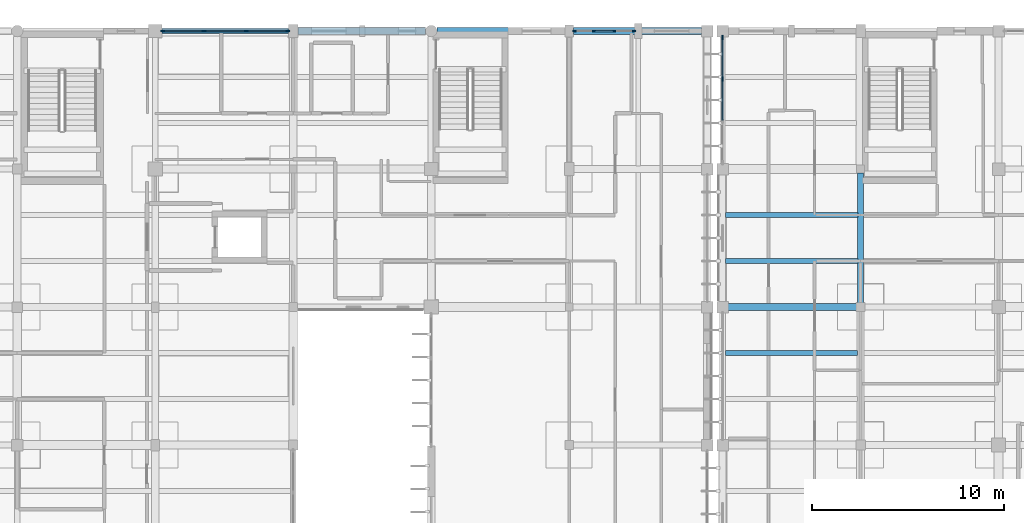
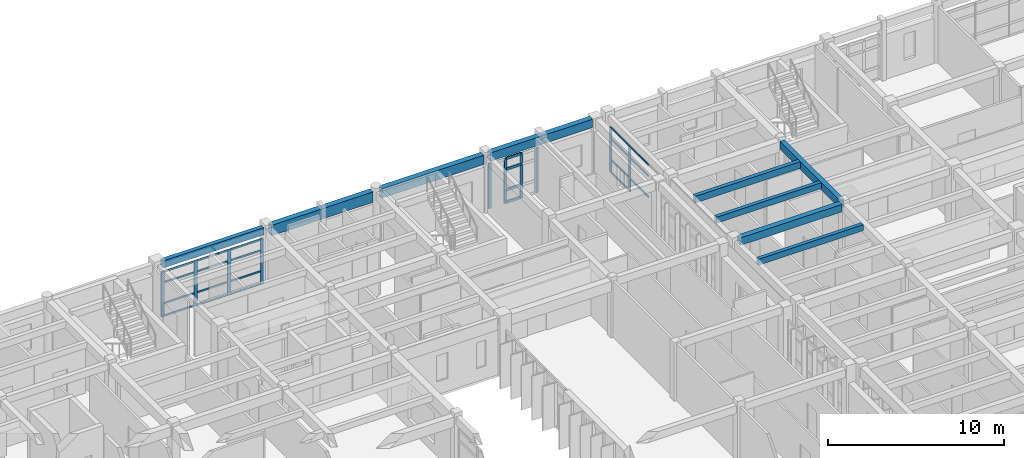
# One storey, part 18 of 55: 33 members, 9 beams, 3 elements without a shape of their own.
"""IFC4 building model written with IfcOpenShell, lengths in metres."""

from ifc_helpers import new_model, si_unit, direction, frame, origin, origin_2d, place, context, subcontext, project, spatial, rectangle, extrude, material, material_profile, profile_set, type_object, element, aggregate, save


model = new_model("IFC4")

# Units and contexts
model_context = context("Model", 3, precision=1e-05, world=origin(), true_north=direction((0.0, 1.0)))
body_context = subcontext(model_context, "Body", "Model", "MODEL_VIEW")
ifc_project = project(units=[si_unit("LENGTHUNIT", "METRE"), si_unit("AREAUNIT", "SQUARE_METRE"), si_unit("VOLUMEUNIT", "CUBIC_METRE"), si_unit("PLANEANGLEUNIT", "RADIAN"), si_unit("MASSUNIT", "GRAM", prefix="KILO")], contexts=[model_context])

# Site, building, storey
site_placement = place(None, origin())
site = spatial("IfcSite", under=ifc_project, at=site_placement, CompositionType="ELEMENT")
building_placement = place(site_placement, origin())
building = spatial("IfcBuilding", under=site, at=building_placement, Name="Steenspoor Specialist Clinic", CompositionType="ELEMENT")
storey_placement = place(building_placement, frame((0.0, 0.0, 13.199951171875)))
storey = spatial("IfcBuildingStorey", under=building, at=storey_placement, Name="L03", CompositionType="ELEMENT", Elevation=13.199951171875)

# Beams
ifc_material_1 = material(Name="Concrete C35/45", Category="concrete")
ifc_material_profile_1 = material_profile(ifc_material_1, rectangle(XDim=0.300048828125, YDim=0.550048828125, at=origin_2d()), Name="RC-BM-300X550")
ifc_profile_set_1 = profile_set([ifc_material_profile_1], Name="Concrete C35/45")
beam_type_1 = type_object("IfcBeamType", Name="BM-RC-300X550", PredefinedType="BEAM", material=ifc_profile_set_1)
beam_1_placement = place(storey_placement, frame((125.199951171875, 94.169921875, 3.675048828125), z_axis=(0.0, 1.0, 0.0), x_axis=(-1.0, 0.0, 0.0)))
element("IfcBeam", 1, at=beam_1_placement, inside=storey, type_object=beam_type_1, Name="BM-V6-L03-Y1734", PredefinedType="BEAM", context=body_context, shape_type="SweptSolid", body=[
    extrude(rectangle(XDim=0.300048828125, YDim=0.550048828125, at=origin_2d()), origin(), (0.0, 0.0, 1.0), 6.78515625),
])
ifc_material_profile_2 = material_profile(ifc_material_1, rectangle(XDim=0.35009765625, YDim=0.52001953125, at=origin_2d()), Name="RC-BM-350X520")
ifc_profile_set_2 = profile_set([ifc_material_profile_2], Name="Concrete C35/45")
beam_type_2 = type_object("IfcBeamType", Name="BM-RC-350X520", PredefinedType="BEAM", material=ifc_profile_set_2)
beam_2_placement = place(storey_placement, frame((118.294921875, 93.949951171875, 3.68994140625), z_axis=(1.0, 0.0, 0.0), x_axis=(0.0, 1.0, 0.0)))
element("IfcBeam", 2, at=beam_2_placement, inside=storey, type_object=beam_type_2, Name="BM-V6-L03-X1717", PredefinedType="BEAM", context=body_context, shape_type="SweptSolid", body=[
    extrude(rectangle(XDim=0.35009765625, YDim=0.52001953125, at=origin_2d()), origin(), (0.0, 0.0, 1.0), 6.68505859375),
])
ifc_material_profile_3 = material_profile(ifc_material_1, rectangle(XDim=0.35009765625, YDim=0.580078125, at=origin_2d()), Name="RC-BM-350X580")
ifc_profile_set_3 = profile_set([ifc_material_profile_3], Name="Concrete C35/45")
beam_type_3 = type_object("IfcBeamType", Name="BM-RC-350X580", PredefinedType="BEAM", material=ifc_profile_set_3)
beam_3_placement = place(storey_placement, frame((110.219970703125, 108.35009765625, 3.66015625), z_axis=(1.0, 0.0, 0.0), x_axis=(0.0, 1.0, 0.0)))
element("IfcBeam", 3, at=beam_3_placement, inside=storey, type_object=beam_type_3, Name="BM-V4-L03-X0911", PredefinedType="BEAM", context=body_context, shape_type="SweptSolid", body=[
    extrude(rectangle(XDim=0.35009765625, YDim=0.580078125, at=origin_2d()), origin(), (0.0, 0.0, 1.0), 6.68505859375),
])

# Curtain wall, members
ifc_material_2 = material(Name="Thermally broken aluminium and low-emissivity glass", Category="aluminium")
curtain_wall_type_1 = type_object("IfcCurtainWallType", Name="CW-TYP-420X355", PredefinedType="USERDEFINED", material=ifc_material_2)
curtain_wall_1_placement = place(storey_placement, origin())
curtain_wall_1 = element("IfcCurtainWall", 4, at=curtain_wall_1_placement, inside=storey, type_object=curtain_wall_type_1, Name="Unitised Curtain Wall CW-V4-L03-109", ObjectType="UNITISED GLAZING", PredefinedType="USERDEFINED")
ifc_material_3 = material(Name="Thermally broken aluminium 6063-T6", Category="aluminium")
ifc_material_profile_4 = material_profile(ifc_material_3, rectangle(XDim=0.080078125, YDim=0.179931640625, at=origin_2d()), Name="CWM-80X180")
ifc_profile_set_4 = profile_set([ifc_material_profile_4], Name="Thermally broken aluminium 6063-T6")
member_type_1 = type_object("IfcMemberType", Name="CW-MULL-80X180", PredefinedType="MULLION", material=ifc_profile_set_4)
member_1_placement = place(storey_placement, frame((110.264892578125, 108.35009765625, 0.0), z_axis=(0.0, 0.0, 1.0), x_axis=(0.0, 1.0, 0.0)))
member_1 = element("IfcMember", 5, at=member_1_placement, type_object=member_type_1, Name="CW-13 mullion 1", PredefinedType="MULLION", context=body_context, shape_type="SweptSolid", body=[
    extrude(rectangle(XDim=0.080078125, YDim=0.179931640625, at=origin_2d()), origin(), (0.0, 0.0, 1.0), 3.130126953125),
])
member_2_placement = place(storey_placement, frame((111.28662109375, 108.35009765625, 0.0), z_axis=(0.0, 0.0, 1.0), x_axis=(0.0, 1.0, 0.0)))
member_2 = element("IfcMember", 6, at=member_2_placement, type_object=member_type_1, Name="CW-13 mullion 2", PredefinedType="MULLION", context=body_context, shape_type="SweptSolid", body=[
    extrude(rectangle(XDim=0.080078125, YDim=0.179931640625, at=origin_2d()), origin(), (0.0, 0.0, 1.0), 3.130126953125),
])
member_3_placement = place(storey_placement, frame((112.348388671875, 108.35009765625, 0.0), z_axis=(0.0, 0.0, 1.0), x_axis=(0.0, 1.0, 0.0)))
member_3 = element("IfcMember", 7, at=member_3_placement, type_object=member_type_1, Name="CW-13 mullion 3", PredefinedType="MULLION", context=body_context, shape_type="SweptSolid", body=[
    extrude(rectangle(XDim=0.080078125, YDim=0.179931640625, at=origin_2d()), origin(), (0.0, 0.0, 1.0), 3.130126953125),
])
member_4_placement = place(storey_placement, frame((113.3701171875, 108.35009765625, 0.0), z_axis=(0.0, 0.0, 1.0), x_axis=(0.0, 1.0, 0.0)))
member_4 = element("IfcMember", 8, at=member_4_placement, type_object=member_type_1, Name="CW-13 mullion 4", PredefinedType="MULLION", context=body_context, shape_type="SweptSolid", body=[
    extrude(rectangle(XDim=0.080078125, YDim=0.179931640625, at=origin_2d()), origin(), (0.0, 0.0, 1.0), 3.130126953125),
])

curtain_wall_type_2 = type_object("IfcCurtainWallType", Name="CW-TYP-480X355", PredefinedType="USERDEFINED", material=ifc_material_2)
curtain_wall_2_placement = place(storey_placement, origin())
curtain_wall_2 = element("IfcCurtainWall", 9, at=curtain_wall_2_placement, inside=storey, type_object=curtain_wall_type_2, Name="Unitised Curtain Wall CW-V4-L03-108", ObjectType="UNITISED GLAZING", PredefinedType="USERDEFINED")
ifc_material_profile_5 = material_profile(ifc_material_3, rectangle(XDim=0.080078125, YDim=0.219970703125, at=origin_2d()), Name="CWM-80X220")
ifc_profile_set_5 = profile_set([ifc_material_profile_5], Name="Thermally broken aluminium 6063-T6")
member_type_2 = type_object("IfcMemberType", Name="CW-MULL-80X220", PredefinedType="MULLION", material=ifc_profile_set_5)
member_5_placement = place(storey_placement, frame((88.7900390625, 108.35009765625, 0.0), z_axis=(0.0, 0.0, 1.0), x_axis=(0.0, 1.0, 0.0)))
member_5 = element("IfcMember", 10, at=member_5_placement, type_object=member_type_2, Name="CW-12 mullion 1", PredefinedType="MULLION", context=body_context, shape_type="SweptSolid", body=[
    extrude(rectangle(XDim=0.080078125, YDim=0.219970703125, at=origin_2d()), origin(), (0.0, 0.0, 1.0), 3.130126953125),
])
member_6_placement = place(storey_placement, frame((90.949951171875, 108.35009765625, 0.0), z_axis=(0.0, 0.0, 1.0), x_axis=(0.0, 1.0, 0.0)))
member_6 = element("IfcMember", 11, at=member_6_placement, type_object=member_type_2, Name="CW-12 mullion 2", PredefinedType="MULLION", context=body_context, shape_type="SweptSolid", body=[
    extrude(rectangle(XDim=0.080078125, YDim=0.219970703125, at=origin_2d()), origin(), (0.0, 0.0, 1.0), 3.130126953125),
])
member_7_placement = place(storey_placement, frame((93.14990234375, 108.35009765625, 0.0), z_axis=(0.0, 0.0, 1.0), x_axis=(0.0, 1.0, 0.0)))
member_7 = element("IfcMember", 12, at=member_7_placement, type_object=member_type_2, Name="CW-12 mullion 3", PredefinedType="MULLION", context=body_context, shape_type="SweptSolid", body=[
    extrude(rectangle(XDim=0.080078125, YDim=0.219970703125, at=origin_2d()), origin(), (0.0, 0.0, 1.0), 3.130126953125),
])
member_8_placement = place(storey_placement, frame((95.31005859375, 108.35009765625, 0.0), z_axis=(0.0, 0.0, 1.0), x_axis=(0.0, 1.0, 0.0)))
member_8 = element("IfcMember", 13, at=member_8_placement, type_object=member_type_2, Name="CW-12 mullion 4", PredefinedType="MULLION", context=body_context, shape_type="SweptSolid", body=[
    extrude(rectangle(XDim=0.080078125, YDim=0.219970703125, at=origin_2d()), origin(), (0.0, 0.0, 1.0), 3.130126953125),
])

curtain_wall_type_3 = type_object("IfcCurtainWallType", Name="CW-L00-480X415", PredefinedType="USERDEFINED", material=ifc_material_2)
curtain_wall_3_placement = place(storey_placement, origin())
curtain_wall_3 = element("IfcCurtainWall", 14, at=curtain_wall_3_placement, inside=storey, type_object=curtain_wall_type_3, Name="Unitised Curtain Wall CW-V6-L03-198", ObjectType="UNITISED GLAZING", PredefinedType="USERDEFINED")
member_9_placement = place(storey_placement, frame((118.0, 105.85009765625, 0.0), z_axis=(0.0, 0.0, 1.0), x_axis=(-1.0, 0.0, 0.0)))
member_9 = element("IfcMember", 15, at=member_9_placement, type_object=member_type_2, Name="CW-06 mullion 3", PredefinedType="MULLION", context=body_context, shape_type="SweptSolid", body=[
    extrude(rectangle(XDim=0.080078125, YDim=0.219970703125, at=origin_2d()), origin(), (0.0, 0.0, 1.0), 3.130126953125),
])
member_10_placement = place(storey_placement, frame((118.0, 108.010009765625, 0.0), z_axis=(0.0, 0.0, 1.0), x_axis=(-1.0, 0.0, 0.0)))
member_10 = element("IfcMember", 16, at=member_10_placement, type_object=member_type_2, Name="CW-06 mullion 4", PredefinedType="MULLION", context=body_context, shape_type="SweptSolid", body=[
    extrude(rectangle(XDim=0.080078125, YDim=0.219970703125, at=origin_2d()), origin(), (0.0, 0.0, 1.0), 3.130126953125),
])

# Member
ifc_material_profile_6 = material_profile(ifc_material_3, rectangle(XDim=0.06005859375, YDim=0.114990234375, at=origin_2d()), Name="CWT-60X115")
ifc_profile_set_6 = profile_set([ifc_material_profile_6], Name="Thermally broken aluminium 6063-T6")
member_type_3 = type_object("IfcMemberType", Name="CW-TRAN-60X115", PredefinedType="USERDEFINED", material=ifc_profile_set_6)
member_11_placement = place(storey_placement, frame((88.830078125, 108.35009765625, 0.030029296875), z_axis=(1.0, 0.0, 0.0), x_axis=(0.0, 1.0, 0.0)))
member_11 = element("IfcMember", 17, at=member_11_placement, type_object=member_type_3, Name="CW-12 transom 1.1", ObjectType="TRANSOM", PredefinedType="USERDEFINED", context=body_context, shape_type="SweptSolid", body=[
    extrude(rectangle(XDim=0.06005859375, YDim=0.114990234375, at=origin_2d()), origin(), (0.0, 0.0, 1.0), 2.079833984375),
])

member_12_placement = place(storey_placement, frame((88.830078125, 108.35009765625, 0.900146484375), z_axis=(1.0, 0.0, 0.0), x_axis=(0.0, 1.0, 0.0)))
member_12 = element("IfcMember", 18, at=member_12_placement, type_object=member_type_3, Name="CW-12 transom 1.2", ObjectType="TRANSOM", PredefinedType="USERDEFINED", context=body_context, shape_type="SweptSolid", body=[
    extrude(rectangle(XDim=0.06005859375, YDim=0.114990234375, at=origin_2d()), origin(), (0.0, 0.0, 1.0), 2.079833984375),
])

member_13_placement = place(storey_placement, frame((88.830078125, 108.35009765625, 2.35009765625), z_axis=(1.0, 0.0, 0.0), x_axis=(0.0, 1.0, 0.0)))
member_13 = element("IfcMember", 19, at=member_13_placement, type_object=member_type_3, Name="CW-12 transom 1.3", ObjectType="TRANSOM", PredefinedType="USERDEFINED", context=body_context, shape_type="SweptSolid", body=[
    extrude(rectangle(XDim=0.06005859375, YDim=0.114990234375, at=origin_2d()), origin(), (0.0, 0.0, 1.0), 2.079833984375),
])

member_14_placement = place(storey_placement, frame((88.830078125, 108.35009765625, 3.10009765625), z_axis=(1.0, 0.0, 0.0), x_axis=(0.0, 1.0, 0.0)))
member_14 = element("IfcMember", 20, at=member_14_placement, type_object=member_type_3, Name="CW-12 transom 1.4", ObjectType="TRANSOM", PredefinedType="USERDEFINED", context=body_context, shape_type="SweptSolid", body=[
    extrude(rectangle(XDim=0.06005859375, YDim=0.114990234375, at=origin_2d()), origin(), (0.0, 0.0, 1.0), 2.079833984375),
])

member_15_placement = place(storey_placement, frame((90.989990234375, 108.35009765625, 0.030029296875), z_axis=(1.0, 0.0, 0.0), x_axis=(0.0, 1.0, 0.0)))
member_15 = element("IfcMember", 21, at=member_15_placement, type_object=member_type_3, Name="CW-12 transom 2.1", ObjectType="TRANSOM", PredefinedType="USERDEFINED", context=body_context, shape_type="SweptSolid", body=[
    extrude(rectangle(XDim=0.06005859375, YDim=0.114990234375, at=origin_2d()), origin(), (0.0, 0.0, 1.0), 2.1201171875),
])

member_16_placement = place(storey_placement, frame((90.989990234375, 108.35009765625, 0.900146484375), z_axis=(1.0, 0.0, 0.0), x_axis=(0.0, 1.0, 0.0)))
member_16 = element("IfcMember", 22, at=member_16_placement, type_object=member_type_3, Name="CW-12 transom 2.2", ObjectType="TRANSOM", PredefinedType="USERDEFINED", context=body_context, shape_type="SweptSolid", body=[
    extrude(rectangle(XDim=0.06005859375, YDim=0.114990234375, at=origin_2d()), origin(), (0.0, 0.0, 1.0), 2.1201171875),
])

member_17_placement = place(storey_placement, frame((90.989990234375, 108.35009765625, 2.35009765625), z_axis=(1.0, 0.0, 0.0), x_axis=(0.0, 1.0, 0.0)))
member_17 = element("IfcMember", 23, at=member_17_placement, type_object=member_type_3, Name="CW-12 transom 2.3", ObjectType="TRANSOM", PredefinedType="USERDEFINED", context=body_context, shape_type="SweptSolid", body=[
    extrude(rectangle(XDim=0.06005859375, YDim=0.114990234375, at=origin_2d()), origin(), (0.0, 0.0, 1.0), 2.1201171875),
])

member_18_placement = place(storey_placement, frame((90.989990234375, 108.35009765625, 3.10009765625), z_axis=(1.0, 0.0, 0.0), x_axis=(0.0, 1.0, 0.0)))
member_18 = element("IfcMember", 24, at=member_18_placement, type_object=member_type_3, Name="CW-12 transom 2.4", ObjectType="TRANSOM", PredefinedType="USERDEFINED", context=body_context, shape_type="SweptSolid", body=[
    extrude(rectangle(XDim=0.06005859375, YDim=0.114990234375, at=origin_2d()), origin(), (0.0, 0.0, 1.0), 2.1201171875),
])

member_19_placement = place(storey_placement, frame((93.18994140625, 108.35009765625, 0.030029296875), z_axis=(1.0, 0.0, 0.0), x_axis=(0.0, 1.0, 0.0)))
member_19 = element("IfcMember", 25, at=member_19_placement, type_object=member_type_3, Name="CW-12 transom 3.1", ObjectType="TRANSOM", PredefinedType="USERDEFINED", context=body_context, shape_type="SweptSolid", body=[
    extrude(rectangle(XDim=0.06005859375, YDim=0.114990234375, at=origin_2d()), origin(), (0.0, 0.0, 1.0), 2.080078125),
])

member_20_placement = place(storey_placement, frame((93.18994140625, 108.35009765625, 0.900146484375), z_axis=(1.0, 0.0, 0.0), x_axis=(0.0, 1.0, 0.0)))
member_20 = element("IfcMember", 26, at=member_20_placement, type_object=member_type_3, Name="CW-12 transom 3.2", ObjectType="TRANSOM", PredefinedType="USERDEFINED", context=body_context, shape_type="SweptSolid", body=[
    extrude(rectangle(XDim=0.06005859375, YDim=0.114990234375, at=origin_2d()), origin(), (0.0, 0.0, 1.0), 2.080078125),
])

member_21_placement = place(storey_placement, frame((93.18994140625, 108.35009765625, 2.35009765625), z_axis=(1.0, 0.0, 0.0), x_axis=(0.0, 1.0, 0.0)))
member_21 = element("IfcMember", 27, at=member_21_placement, type_object=member_type_3, Name="CW-12 transom 3.3", ObjectType="TRANSOM", PredefinedType="USERDEFINED", context=body_context, shape_type="SweptSolid", body=[
    extrude(rectangle(XDim=0.06005859375, YDim=0.114990234375, at=origin_2d()), origin(), (0.0, 0.0, 1.0), 2.080078125),
])

member_22_placement = place(storey_placement, frame((93.18994140625, 108.35009765625, 3.10009765625), z_axis=(1.0, 0.0, 0.0), x_axis=(0.0, 1.0, 0.0)))
member_22 = element("IfcMember", 28, at=member_22_placement, type_object=member_type_3, Name="CW-12 transom 3.4", ObjectType="TRANSOM", PredefinedType="USERDEFINED", context=body_context, shape_type="SweptSolid", body=[
    extrude(rectangle(XDim=0.06005859375, YDim=0.114990234375, at=origin_2d()), origin(), (0.0, 0.0, 1.0), 2.080078125),
])

aggregate(curtain_wall_2, [member_5, member_6, member_7, member_8, member_11, member_12, member_13, member_14, member_15, member_16, member_17, member_18, member_19, member_20, member_21, member_22])

member_23_placement = place(storey_placement, frame((118.0, 103.68994140625, 0.900146484375), z_axis=(0.0, 1.0, 0.0), x_axis=(-1.0, 0.0, 0.0)))
member_23 = element("IfcMember", 29, at=member_23_placement, type_object=member_type_3, Name="CW-06 transom 2.2", ObjectType="TRANSOM", PredefinedType="USERDEFINED", context=body_context, shape_type="SweptSolid", body=[
    extrude(rectangle(XDim=0.06005859375, YDim=0.114990234375, at=origin_2d()), origin(), (0.0, 0.0, 1.0), 2.1201171875),
])

member_24_placement = place(storey_placement, frame((118.0, 103.68994140625, 2.35009765625), z_axis=(0.0, 1.0, 0.0), x_axis=(-1.0, 0.0, 0.0)))
member_24 = element("IfcMember", 30, at=member_24_placement, type_object=member_type_3, Name="CW-06 transom 2.3", ObjectType="TRANSOM", PredefinedType="USERDEFINED", context=body_context, shape_type="SweptSolid", body=[
    extrude(rectangle(XDim=0.06005859375, YDim=0.114990234375, at=origin_2d()), origin(), (0.0, 0.0, 1.0), 2.1201171875),
])

member_25_placement = place(storey_placement, frame((118.0, 103.68994140625, 3.10009765625), z_axis=(0.0, 1.0, 0.0), x_axis=(-1.0, 0.0, 0.0)))
member_25 = element("IfcMember", 31, at=member_25_placement, type_object=member_type_3, Name="CW-06 transom 2.4", ObjectType="TRANSOM", PredefinedType="USERDEFINED", context=body_context, shape_type="SweptSolid", body=[
    extrude(rectangle(XDim=0.06005859375, YDim=0.114990234375, at=origin_2d()), origin(), (0.0, 0.0, 1.0), 2.1201171875),
])

member_26_placement = place(storey_placement, frame((118.0, 105.889892578125, 0.030029296875), z_axis=(0.0, 1.0, 0.0), x_axis=(-1.0, 0.0, 0.0)))
member_26 = element("IfcMember", 32, at=member_26_placement, type_object=member_type_3, Name="CW-06 transom 3.1", ObjectType="TRANSOM", PredefinedType="USERDEFINED", context=body_context, shape_type="SweptSolid", body=[
    extrude(rectangle(XDim=0.06005859375, YDim=0.114990234375, at=origin_2d()), origin(), (0.0, 0.0, 1.0), 2.080078125),
])

member_27_placement = place(storey_placement, frame((118.0, 105.889892578125, 0.900146484375), z_axis=(0.0, 1.0, 0.0), x_axis=(-1.0, 0.0, 0.0)))
member_27 = element("IfcMember", 33, at=member_27_placement, type_object=member_type_3, Name="CW-06 transom 3.2", ObjectType="TRANSOM", PredefinedType="USERDEFINED", context=body_context, shape_type="SweptSolid", body=[
    extrude(rectangle(XDim=0.06005859375, YDim=0.114990234375, at=origin_2d()), origin(), (0.0, 0.0, 1.0), 2.080078125),
])

member_28_placement = place(storey_placement, frame((118.0, 105.889892578125, 2.35009765625), z_axis=(0.0, 1.0, 0.0), x_axis=(-1.0, 0.0, 0.0)))
member_28 = element("IfcMember", 34, at=member_28_placement, type_object=member_type_3, Name="CW-06 transom 3.3", ObjectType="TRANSOM", PredefinedType="USERDEFINED", context=body_context, shape_type="SweptSolid", body=[
    extrude(rectangle(XDim=0.06005859375, YDim=0.114990234375, at=origin_2d()), origin(), (0.0, 0.0, 1.0), 2.080078125),
])

member_29_placement = place(storey_placement, frame((118.0, 105.889892578125, 3.10009765625), z_axis=(0.0, 1.0, 0.0), x_axis=(-1.0, 0.0, 0.0)))
member_29 = element("IfcMember", 35, at=member_29_placement, type_object=member_type_3, Name="CW-06 transom 3.4", ObjectType="TRANSOM", PredefinedType="USERDEFINED", context=body_context, shape_type="SweptSolid", body=[
    extrude(rectangle(XDim=0.06005859375, YDim=0.114990234375, at=origin_2d()), origin(), (0.0, 0.0, 1.0), 2.080078125),
])

aggregate(curtain_wall_3, [member_9, member_10, member_23, member_24, member_25, member_26, member_27, member_28, member_29])

ifc_material_profile_7 = material_profile(ifc_material_3, rectangle(XDim=0.090087890625, YDim=0.175048828125, at=origin_2d()), Name="CWT-90X175")
ifc_profile_set_7 = profile_set([ifc_material_profile_7], Name="Thermally broken aluminium 6063-T6")
member_type_4 = type_object("IfcMemberType", Name="CW-TRAN-90X175", PredefinedType="USERDEFINED", material=ifc_profile_set_7)
member_30_placement = place(storey_placement, frame((111.32666015625, 108.35009765625, 0.045166015625), z_axis=(1.0, 0.0, 0.0), x_axis=(0.0, 1.0, 0.0)))
member_30 = element("IfcMember", 36, at=member_30_placement, type_object=member_type_4, Name="CW-13 transom 2.1", ObjectType="TRANSOM", PredefinedType="USERDEFINED", context=body_context, shape_type="SweptSolid", body=[
    extrude(rectangle(XDim=0.090087890625, YDim=0.175048828125, at=origin_2d()), origin(), (0.0, 0.0, 1.0), 0.981689453125),
])

member_31_placement = place(storey_placement, frame((111.32666015625, 108.35009765625, 0.900146484375), z_axis=(1.0, 0.0, 0.0), x_axis=(0.0, 1.0, 0.0)))
member_31 = element("IfcMember", 37, at=member_31_placement, type_object=member_type_4, Name="CW-13 transom 2.2", ObjectType="TRANSOM", PredefinedType="USERDEFINED", context=body_context, shape_type="SweptSolid", body=[
    extrude(rectangle(XDim=0.090087890625, YDim=0.175048828125, at=origin_2d()), origin(), (0.0, 0.0, 1.0), 0.981689453125),
])

member_32_placement = place(storey_placement, frame((111.32666015625, 108.35009765625, 2.35009765625), z_axis=(1.0, 0.0, 0.0), x_axis=(0.0, 1.0, 0.0)))
member_32 = element("IfcMember", 38, at=member_32_placement, type_object=member_type_4, Name="CW-13 transom 2.3", ObjectType="TRANSOM", PredefinedType="USERDEFINED", context=body_context, shape_type="SweptSolid", body=[
    extrude(rectangle(XDim=0.090087890625, YDim=0.175048828125, at=origin_2d()), origin(), (0.0, 0.0, 1.0), 0.981689453125),
])

member_33_placement = place(storey_placement, frame((111.32666015625, 108.35009765625, 3.0849609375), z_axis=(1.0, 0.0, 0.0), x_axis=(0.0, 1.0, 0.0)))
member_33 = element("IfcMember", 39, at=member_33_placement, type_object=member_type_4, Name="CW-13 transom 2.4", ObjectType="TRANSOM", PredefinedType="USERDEFINED", context=body_context, shape_type="SweptSolid", body=[
    extrude(rectangle(XDim=0.090087890625, YDim=0.175048828125, at=origin_2d()), origin(), (0.0, 0.0, 1.0), 0.981689453125),
])

aggregate(curtain_wall_1, [member_1, member_2, member_3, member_4, member_30, member_31, member_32, member_33])

# Beams
ifc_material_profile_8 = material_profile(ifc_material_1, rectangle(XDim=0.239990234375, YDim=0.419921875, at=origin_2d()), Name="RC-JT-240X420")
ifc_profile_set_8 = profile_set([ifc_material_profile_8], Name="Concrete C35/45")
beam_type_4 = type_object("IfcBeamType", Name="JT-RC-240X420", PredefinedType="JOIST", material=ifc_profile_set_8)
beam_4_placement = place(storey_placement, frame((118.155029296875, 91.550048828125, 3.739990234375), z_axis=(1.0, 0.0, 0.0), x_axis=(0.0, 1.0, 0.0)))
element("IfcBeam", 40, at=beam_4_placement, inside=storey, type_object=beam_type_4, Name="JT-V6-L03-1757", PredefinedType="JOIST", context=body_context, shape_type="SweptSolid", body=[
    extrude(rectangle(XDim=0.239990234375, YDim=0.419921875, at=origin_2d()), origin(), (0.0, 0.0, 1.0), 6.875),
])
beam_5_placement = place(storey_placement, frame((118.155029296875, 96.35009765625, 3.739990234375), z_axis=(1.0, 0.0, 0.0), x_axis=(0.0, 1.0, 0.0)))
element("IfcBeam", 41, at=beam_5_placement, inside=storey, type_object=beam_type_4, Name="JT-V6-L03-1758", PredefinedType="JOIST", context=body_context, shape_type="SweptSolid", body=[
    extrude(rectangle(XDim=0.239990234375, YDim=0.419921875, at=origin_2d()), origin(), (0.0, 0.0, 1.0), 6.89990234375),
])
ifc_material_profile_9 = material_profile(ifc_material_1, rectangle(XDim=0.260009765625, YDim=0.4599609375, at=origin_2d()), Name="RC-JT-260X460")
ifc_profile_set_9 = profile_set([ifc_material_profile_9], Name="Concrete C35/45")
beam_type_5 = type_object("IfcBeamType", Name="JT-RC-260X460", PredefinedType="JOIST", material=ifc_profile_set_9)
beam_6_placement = place(storey_placement, frame((118.155029296875, 98.75, 3.719970703125), z_axis=(1.0, 0.0, 0.0), x_axis=(0.0, 1.0, 0.0)))
element("IfcBeam", 42, at=beam_6_placement, inside=storey, type_object=beam_type_5, Name="JT-V6-L03-1759", PredefinedType="JOIST", context=body_context, shape_type="SweptSolid", body=[
    extrude(rectangle(XDim=0.260009765625, YDim=0.4599609375, at=origin_2d()), origin(), (0.0, 0.0, 1.0), 6.89990234375),
])
ifc_material_profile_10 = material_profile(ifc_material_1, rectangle(XDim=0.280029296875, YDim=0.5, at=origin_2d()), Name="RC-SP-280X500")
ifc_profile_set_10 = profile_set([ifc_material_profile_10], Name="Concrete C35/45")
beam_type_6 = type_object("IfcBeamType", Name="SP-RC-280X500", PredefinedType="SPANDREL", material=ifc_profile_set_10)
beam_7_placement = place(storey_placement, frame((88.7451171875, 108.35009765625, 3.699951171875), z_axis=(1.0, 0.0, 0.0), x_axis=(0.0, 1.0, 0.0)))
element("IfcBeam", 43, at=beam_7_placement, inside=storey, type_object=beam_type_6, Name="BM-V4-L03-X0833", PredefinedType="SPANDREL", context=body_context, shape_type="SweptSolid", body=[
    extrude(rectangle(XDim=0.280029296875, YDim=0.5, at=origin_2d()), origin(), (0.0, 0.0, 1.0), 6.60986328125),
])
ifc_material_profile_11 = material_profile(ifc_material_1, rectangle(XDim=0.360107421875, YDim=0.639892578125, at=origin_2d()), Name="RC-SP-360X640")
ifc_profile_set_11 = profile_set([ifc_material_profile_11], Name="Concrete C35/45")
beam_type_7 = type_object("IfcBeamType", Name="SP-RC-360X640", PredefinedType="SPANDREL", material=ifc_profile_set_11)
beam_8_placement = place(storey_placement, frame((103.094970703125, 108.35009765625, 3.630126953125), z_axis=(1.0, 0.0, 0.0), x_axis=(0.0, 1.0, 0.0)))
element("IfcBeam", 44, at=beam_8_placement, inside=storey, type_object=beam_type_7, Name="BM-V4-L03-X0835", PredefinedType="SPANDREL", context=body_context, shape_type="SweptSolid", body=[
    extrude(rectangle(XDim=0.360107421875, YDim=0.639892578125, at=origin_2d()), origin(), (0.0, 0.0, 1.0), 6.68505859375),
])
ifc_material_profile_12 = material_profile(ifc_material_1, rectangle(XDim=0.360107421875, YDim=0.719970703125, at=origin_2d()), Name="RC-SP-360X720")
ifc_profile_set_12 = profile_set([ifc_material_profile_12], Name="Concrete C35/45")
beam_type_8 = type_object("IfcBeamType", Name="SP-RC-360X720", PredefinedType="SPANDREL", material=ifc_profile_set_12)
beam_9_placement = place(storey_placement, frame((95.844970703125, 108.35009765625, 3.590087890625), z_axis=(1.0, 0.0, 0.0), x_axis=(0.0, 1.0, 0.0)))
element("IfcBeam", 45, at=beam_9_placement, inside=storey, type_object=beam_type_8, Name="BM-V4-L03-X0834", PredefinedType="SPANDREL", context=body_context, shape_type="SweptSolid", body=[
    extrude(rectangle(XDim=0.360107421875, YDim=0.719970703125, at=origin_2d()), origin(), (0.0, 0.0, 1.0), 6.659912109375),
])

save(model, "model.ifc")
